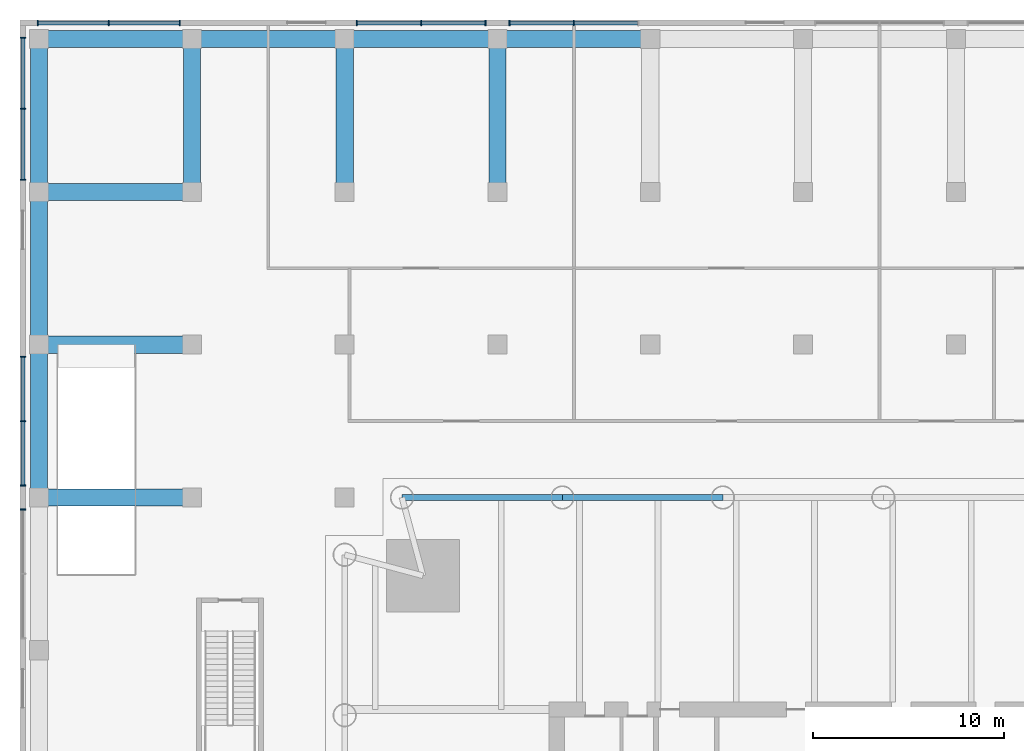
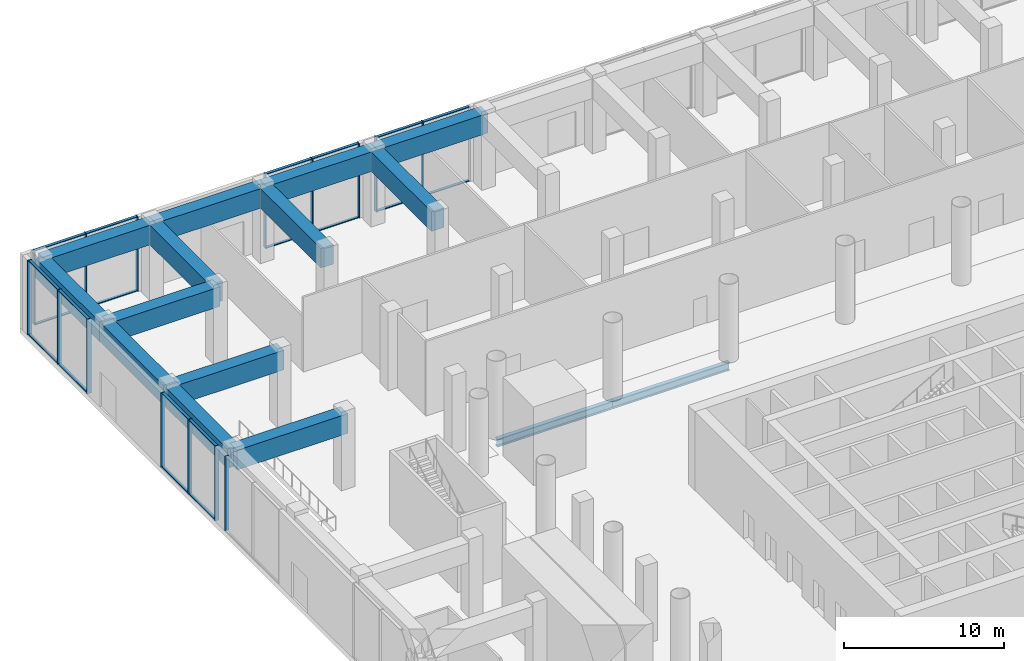
# One storey, part 14 of 39: 35 members, 15 beams, 6 elements without a shape of their own.
"""IFC4 building model written with IfcOpenShell, lengths in metres."""

from ifc_helpers import new_model, si_unit, direction, frame, origin, origin_2d, place, context, subcontext, project, spatial, rectangle, i_section, extrude, material, material_profile, profile_set, type_object, element, aggregate, save


model = new_model("IFC4")

# Units and contexts
model_context = context("Model", 3, precision=1e-05, world=origin(), true_north=direction((0.0, 1.0)))
body_context = subcontext(model_context, "Body", "Model", "MODEL_VIEW")
ifc_project = project(units=[si_unit("LENGTHUNIT", "METRE"), si_unit("AREAUNIT", "SQUARE_METRE"), si_unit("VOLUMEUNIT", "CUBIC_METRE"), si_unit("PLANEANGLEUNIT", "RADIAN"), si_unit("MASSUNIT", "GRAM", prefix="KILO")], contexts=[model_context])

# Site, building, storey
site_placement = place(None, origin())
site = spatial("IfcSite", under=ifc_project, at=site_placement, CompositionType="ELEMENT")
building_placement = place(site_placement, origin())
building = spatial("IfcBuilding", under=site, at=building_placement, Name="Ostroluk Exchange", CompositionType="ELEMENT")
storey_placement = place(building_placement, origin())
storey = spatial("IfcBuildingStorey", under=building, at=storey_placement, Name="L00", CompositionType="ELEMENT", Elevation=0.0)

# Beams
ifc_material_1 = material(Name="Steel S355", Category="steel")
ifc_material_profile_1 = material_profile(ifc_material_1, i_section(OverallWidth=0.300048828125, OverallDepth=0.60009765625, WebThickness=0.015380859375, FlangeThickness=0.030029296875, FilletRadius=0.027099609375, at=origin_2d()), Name="HEB 600")
ifc_profile_set_1 = profile_set([ifc_material_profile_1], Name="Steel S355")
beam_type_1 = type_object("IfcBeamType", Name="Moment-connected edge beam HEB 600", PredefinedType="SPANDREL", material=ifc_profile_set_1)
beam_1_placement = place(storey_placement, frame((40.800048828125, 70.0, -0.60009765625), z_axis=(-1.0, 0.0, 0.0), x_axis=(0.0, -1.0, 0.0)))
element("IfcBeam", 1, at=beam_1_placement, inside=storey, type_object=beam_type_1, Name="T1 north edge beam 4", PredefinedType="SPANDREL", context=body_context, shape_type="SweptSolid", body=[
    extrude(i_section(OverallWidth=0.300048828125, OverallDepth=0.60009765625, WebThickness=0.015380859375, FlangeThickness=0.030029296875, FilletRadius=0.027099609375, at=origin_2d()), origin(), (0.0, 0.0, 1.0), 8.400146484375),
])
beam_2_placement = place(storey_placement, frame((32.39990234375, 70.0, -0.60009765625), z_axis=(-1.0, 0.0, 0.0), x_axis=(0.0, -1.0, 0.0)))
element("IfcBeam", 2, at=beam_2_placement, inside=storey, type_object=beam_type_1, Name="T1 north edge beam 5", PredefinedType="SPANDREL", context=body_context, shape_type="SweptSolid", body=[
    extrude(i_section(OverallWidth=0.300048828125, OverallDepth=0.60009765625, WebThickness=0.015380859375, FlangeThickness=0.030029296875, FilletRadius=0.027099609375, at=origin_2d()), origin(), (0.0, 0.0, 1.0), 8.39990234375),
])
ifc_material_2 = material(Name="Concrete C50/60", Category="concrete")
ifc_material_profile_2 = material_profile(ifc_material_2, rectangle(XDim=0.89990234375, YDim=1.5, at=origin_2d()), Name="RC 900x1500")
ifc_profile_set_2 = profile_set([ifc_material_profile_2], Name="Concrete C50/60")
beam_type_2 = type_object("IfcBeamType", Name="Podium edge beam RC 900x1500", PredefinedType="BEAM", material=ifc_profile_set_2)
for number, where, z_axis, x_axis, name in (
    (3, (13.0, 94.0, 4.949951171875), (0.0, -1.0, 0.0), (1.0, 0.0, 0.0), "Terrace beam L01 west N 13"),
    (4, (21.0, 94.0, 4.949951171875), (0.0, -1.0, 0.0), (1.0, 0.0, 0.0), "Terrace beam L01 west N 21"),
    (5, (29.0, 94.0, 4.949951171875), (0.0, -1.0, 0.0), (1.0, 0.0, 0.0), "Terrace beam L01 west N 29"),
    (6, (5.0, 70.0, 4.949951171875), (1.0, 0.0, 0.0), (0.0, 1.0, 0.0), "Terrace beam L01 west W 70"),
    (7, (5.0, 78.0, 4.949951171875), (1.0, 0.0, 0.0), (0.0, 1.0, 0.0), "Terrace beam L01 west W 78"),
    (8, (5.0, 86.0, 4.949951171875), (1.0, 0.0, 0.0), (0.0, 1.0, 0.0), "Terrace beam L01 west W 86"),
    (9, (5.0, 70.0, 4.949951171875), (0.0, 1.0, 0.0), (-1.0, 0.0, 0.0), "Terrace bay beam L01 X5-70"),
    (10, (5.0, 78.0, 4.949951171875), (0.0, 1.0, 0.0), (-1.0, 0.0, 0.0), "Terrace bay beam L01 X5-78"),
    (11, (5.0, 86.0, 4.949951171875), (0.0, 1.0, 0.0), (-1.0, 0.0, 0.0), "Terrace bay beam L01 X5-86"),
    (12, (5.0, 94.0, 4.949951171875), (1.0, 0.0, 0.0), (0.0, 1.0, 0.0), "Terrace bay beam L01 Y94-5"),
    (13, (13.0, 94.0, 4.949951171875), (1.0, 0.0, 0.0), (0.0, 1.0, 0.0), "Terrace bay beam L01 Y94-13"),
    (14, (21.0, 94.0, 4.949951171875), (1.0, 0.0, 0.0), (0.0, 1.0, 0.0), "Terrace bay beam L01 Y94-21"),
    (15, (29.0, 94.0, 4.949951171875), (1.0, 0.0, 0.0), (0.0, 1.0, 0.0), "Terrace bay beam L01 Y94-29"),
):
    element("IfcBeam", number, at=place(storey_placement, frame(where, z_axis=z_axis, x_axis=x_axis)), inside=storey, type_object=beam_type_2, Name=name, PredefinedType="BEAM", context=body_context, shape_type="SweptSolid", body=[
        extrude(rectangle(XDim=0.89990234375, YDim=1.5, at=origin_2d()), origin(), (0.0, 0.0, 1.0), 8.0),
    ])

# Curtain wall, members
ifc_material_3 = material(Name="Laminated clear glass", Category="glass")
curtain_wall_type = type_object("IfcCurtainWallType", Name="Podium shopfront", PredefinedType="USERDEFINED", material=ifc_material_3)
curtain_wall_1_placement = place(storey_placement, origin())
curtain_wall_1 = element("IfcCurtainWall", 16, at=curtain_wall_1_placement, inside=storey, type_object=curtain_wall_type, Name="Podium west N shopfront 4", ObjectType="STICK SHOPFRONT", PredefinedType="USERDEFINED")
ifc_material_4 = material(Name="Aluminium mullion", Category="aluminium")
ifc_material_profile_3 = material_profile(ifc_material_4, rectangle(XDim=0.300048828125, YDim=0.06005859375, at=origin_2d()), Name="Shopfront mullion 60 x 300")
ifc_profile_set_3 = profile_set([ifc_material_profile_3], Name="Aluminium mullion")
member_type_1 = type_object("IfcMemberType", Name="Shopfront mullion 60 x 300", PredefinedType="MULLION", material=ifc_profile_set_3)
member_1_placement = place(storey_placement, frame((33.0, 94.85009765625, 0.0), z_axis=(0.0, 0.0, 1.0), x_axis=(0.0, -1.0, 0.0)))
member_1 = element("IfcMember", 17, at=member_1_placement, type_object=member_type_1, Name="CW-SF1 mullion 2", PredefinedType="MULLION", context=body_context, shape_type="SweptSolid", body=[
    extrude(rectangle(XDim=0.300048828125, YDim=0.06005859375, at=origin_2d()), origin(), (0.0, 0.0, 1.0), 5.699951171875),
])
member_2_placement = place(storey_placement, frame((29.6298828125, 94.85009765625, 0.0), z_axis=(0.0, 0.0, 1.0), x_axis=(0.0, -1.0, 0.0)))
member_2 = element("IfcMember", 18, at=member_2_placement, type_object=member_type_1, Name="CW-SF1 mullion 3", PredefinedType="MULLION", context=body_context, shape_type="SweptSolid", body=[
    extrude(rectangle(XDim=0.300048828125, YDim=0.06005859375, at=origin_2d()), origin(), (0.0, 0.0, 1.0), 5.699951171875),
])

curtain_wall_2_placement = place(storey_placement, origin())
curtain_wall_2 = element("IfcCurtainWall", 19, at=curtain_wall_2_placement, inside=storey, type_object=curtain_wall_type, Name="Podium west N shopfront 5", ObjectType="STICK SHOPFRONT", PredefinedType="USERDEFINED")
member_3_placement = place(storey_placement, frame((28.3701171875, 94.85009765625, 0.0), z_axis=(0.0, 0.0, 1.0), x_axis=(0.0, -1.0, 0.0)))
member_3 = element("IfcMember", 20, at=member_3_placement, type_object=member_type_1, Name="CW-SF1 mullion 1", PredefinedType="MULLION", context=body_context, shape_type="SweptSolid", body=[
    extrude(rectangle(XDim=0.300048828125, YDim=0.06005859375, at=origin_2d()), origin(), (0.0, 0.0, 1.0), 5.699951171875),
])
member_4_placement = place(storey_placement, frame((25.0, 94.85009765625, 0.0), z_axis=(0.0, 0.0, 1.0), x_axis=(0.0, -1.0, 0.0)))
member_4 = element("IfcMember", 21, at=member_4_placement, type_object=member_type_1, Name="CW-SF1 mullion 2", PredefinedType="MULLION", context=body_context, shape_type="SweptSolid", body=[
    extrude(rectangle(XDim=0.300048828125, YDim=0.06005859375, at=origin_2d()), origin(), (0.0, 0.0, 1.0), 5.699951171875),
])
member_5_placement = place(storey_placement, frame((21.6298828125, 94.85009765625, 0.0), z_axis=(0.0, 0.0, 1.0), x_axis=(0.0, -1.0, 0.0)))
member_5 = element("IfcMember", 22, at=member_5_placement, type_object=member_type_1, Name="CW-SF1 mullion 3", PredefinedType="MULLION", context=body_context, shape_type="SweptSolid", body=[
    extrude(rectangle(XDim=0.300048828125, YDim=0.06005859375, at=origin_2d()), origin(), (0.0, 0.0, 1.0), 5.699951171875),
])

curtain_wall_3_placement = place(storey_placement, origin())
curtain_wall_3 = element("IfcCurtainWall", 23, at=curtain_wall_3_placement, inside=storey, type_object=curtain_wall_type, Name="Podium west N shopfront 6", ObjectType="STICK SHOPFRONT", PredefinedType="USERDEFINED")
member_6_placement = place(storey_placement, frame((12.3701171875, 94.85009765625, 0.0), z_axis=(0.0, 0.0, 1.0), x_axis=(0.0, -1.0, 0.0)))
member_6 = element("IfcMember", 24, at=member_6_placement, type_object=member_type_1, Name="CW-SF1 mullion 1", PredefinedType="MULLION", context=body_context, shape_type="SweptSolid", body=[
    extrude(rectangle(XDim=0.300048828125, YDim=0.06005859375, at=origin_2d()), origin(), (0.0, 0.0, 1.0), 5.699951171875),
])
member_7_placement = place(storey_placement, frame((8.64990234375, 94.85009765625, 0.0), z_axis=(0.0, 0.0, 1.0), x_axis=(0.0, -1.0, 0.0)))
member_7 = element("IfcMember", 25, at=member_7_placement, type_object=member_type_1, Name="CW-SF1 mullion 2", PredefinedType="MULLION", context=body_context, shape_type="SweptSolid", body=[
    extrude(rectangle(XDim=0.300048828125, YDim=0.06005859375, at=origin_2d()), origin(), (0.0, 0.0, 1.0), 5.699951171875),
])
member_8_placement = place(storey_placement, frame((4.929931640625, 94.85009765625, 0.0), z_axis=(0.0, 0.0, 1.0), x_axis=(0.0, -1.0, 0.0)))
member_8 = element("IfcMember", 26, at=member_8_placement, type_object=member_type_1, Name="CW-SF1 mullion 3", PredefinedType="MULLION", context=body_context, shape_type="SweptSolid", body=[
    extrude(rectangle(XDim=0.300048828125, YDim=0.06005859375, at=origin_2d()), origin(), (0.0, 0.0, 1.0), 5.699951171875),
])

curtain_wall_4_placement = place(storey_placement, origin())
curtain_wall_4 = element("IfcCurtainWall", 27, at=curtain_wall_4_placement, inside=storey, type_object=curtain_wall_type, Name="Podium west W shopfront 1", ObjectType="STICK SHOPFRONT", PredefinedType="USERDEFINED")
member_9_placement = place(storey_placement, frame((4.14990234375, 94.070068359375, 0.0), z_axis=(0.0, 0.0, 1.0), x_axis=(1.0, 0.0, 0.0)))
member_9 = element("IfcMember", 28, at=member_9_placement, type_object=member_type_1, Name="CW-SF1 mullion 1", PredefinedType="MULLION", context=body_context, shape_type="SweptSolid", body=[
    extrude(rectangle(XDim=0.300048828125, YDim=0.06005859375, at=origin_2d()), origin(), (0.0, 0.0, 1.0), 5.699951171875),
])
member_10_placement = place(storey_placement, frame((4.14990234375, 90.35009765625, 0.0), z_axis=(0.0, 0.0, 1.0), x_axis=(1.0, 0.0, 0.0)))
member_10 = element("IfcMember", 29, at=member_10_placement, type_object=member_type_1, Name="CW-SF1 mullion 2", PredefinedType="MULLION", context=body_context, shape_type="SweptSolid", body=[
    extrude(rectangle(XDim=0.300048828125, YDim=0.06005859375, at=origin_2d()), origin(), (0.0, 0.0, 1.0), 5.699951171875),
])
member_11_placement = place(storey_placement, frame((4.14990234375, 86.6298828125, 0.0), z_axis=(0.0, 0.0, 1.0), x_axis=(1.0, 0.0, 0.0)))
member_11 = element("IfcMember", 30, at=member_11_placement, type_object=member_type_1, Name="CW-SF1 mullion 3", PredefinedType="MULLION", context=body_context, shape_type="SweptSolid", body=[
    extrude(rectangle(XDim=0.300048828125, YDim=0.06005859375, at=origin_2d()), origin(), (0.0, 0.0, 1.0), 5.699951171875),
])

curtain_wall_5_placement = place(storey_placement, origin())
curtain_wall_5 = element("IfcCurtainWall", 31, at=curtain_wall_5_placement, inside=storey, type_object=curtain_wall_type, Name="Podium west W shopfront 2", ObjectType="STICK SHOPFRONT", PredefinedType="USERDEFINED")
member_12_placement = place(storey_placement, frame((4.14990234375, 77.3701171875, 0.0), z_axis=(0.0, 0.0, 1.0), x_axis=(1.0, 0.0, 0.0)))
member_12 = element("IfcMember", 32, at=member_12_placement, type_object=member_type_1, Name="CW-SF1 mullion 1", PredefinedType="MULLION", context=body_context, shape_type="SweptSolid", body=[
    extrude(rectangle(XDim=0.300048828125, YDim=0.06005859375, at=origin_2d()), origin(), (0.0, 0.0, 1.0), 5.699951171875),
])
member_13_placement = place(storey_placement, frame((4.14990234375, 74.0, 0.0), z_axis=(0.0, 0.0, 1.0), x_axis=(1.0, 0.0, 0.0)))
member_13 = element("IfcMember", 33, at=member_13_placement, type_object=member_type_1, Name="CW-SF1 mullion 2", PredefinedType="MULLION", context=body_context, shape_type="SweptSolid", body=[
    extrude(rectangle(XDim=0.300048828125, YDim=0.06005859375, at=origin_2d()), origin(), (0.0, 0.0, 1.0), 5.699951171875),
])
member_14_placement = place(storey_placement, frame((4.14990234375, 70.6298828125, 0.0), z_axis=(0.0, 0.0, 1.0), x_axis=(1.0, 0.0, 0.0)))
member_14 = element("IfcMember", 34, at=member_14_placement, type_object=member_type_1, Name="CW-SF1 mullion 3", PredefinedType="MULLION", context=body_context, shape_type="SweptSolid", body=[
    extrude(rectangle(XDim=0.300048828125, YDim=0.06005859375, at=origin_2d()), origin(), (0.0, 0.0, 1.0), 5.699951171875),
])

# Curtain wall, member
curtain_wall_6_placement = place(storey_placement, origin())
curtain_wall_6 = element("IfcCurtainWall", 35, at=curtain_wall_6_placement, inside=storey, type_object=curtain_wall_type, Name="Podium west W shopfront 3", ObjectType="STICK SHOPFRONT", PredefinedType="USERDEFINED")
member_15_placement = place(storey_placement, frame((4.14990234375, 69.3701171875, 0.0), z_axis=(0.0, 0.0, 1.0), x_axis=(1.0, 0.0, 0.0)))
member_15 = element("IfcMember", 36, at=member_15_placement, type_object=member_type_1, Name="CW-SF1 mullion 1", PredefinedType="MULLION", context=body_context, shape_type="SweptSolid", body=[
    extrude(rectangle(XDim=0.300048828125, YDim=0.06005859375, at=origin_2d()), origin(), (0.0, 0.0, 1.0), 5.699951171875),
])
aggregate(curtain_wall_6, [member_15])

# Member
ifc_material_5 = material(Name="Aluminium mullion", Category="aluminium")
ifc_material_profile_4 = material_profile(ifc_material_5, rectangle(XDim=0.199951171875, YDim=0.06005859375, at=origin_2d()), Name="Shopfront transom 60 x 200")
ifc_profile_set_4 = profile_set([ifc_material_profile_4], Name="Aluminium mullion")
member_type_2 = type_object("IfcMemberType", Name="Shopfront transom 60 x 200", PredefinedType="USERDEFINED", material=ifc_profile_set_4)
member_16_placement = place(storey_placement, frame((36.340087890625, 94.85009765625, 0.030029296875), z_axis=(-1.0, 0.0, 0.0), x_axis=(0.0, -1.0, 0.0)))
member_16 = element("IfcMember", 37, at=member_16_placement, type_object=member_type_2, Name="CW-SF1 transom 1.1", ObjectType="TRANSOM", PredefinedType="USERDEFINED", context=body_context, shape_type="SweptSolid", body=[
    extrude(rectangle(XDim=0.199951171875, YDim=0.06005859375, at=origin_2d()), origin(), (0.0, 0.0, 1.0), 3.31005859375),
])

member_17_placement = place(storey_placement, frame((36.340087890625, 94.85009765625, 5.669921875), z_axis=(-1.0, 0.0, 0.0), x_axis=(0.0, -1.0, 0.0)))
member_17 = element("IfcMember", 38, at=member_17_placement, type_object=member_type_2, Name="CW-SF1 transom 1.2", ObjectType="TRANSOM", PredefinedType="USERDEFINED", context=body_context, shape_type="SweptSolid", body=[
    extrude(rectangle(XDim=0.199951171875, YDim=0.06005859375, at=origin_2d()), origin(), (0.0, 0.0, 1.0), 3.31005859375),
])

member_18_placement = place(storey_placement, frame((32.969970703125, 94.85009765625, 0.030029296875), z_axis=(-1.0, 0.0, 0.0), x_axis=(0.0, -1.0, 0.0)))
member_18 = element("IfcMember", 39, at=member_18_placement, type_object=member_type_2, Name="CW-SF1 transom 2.1", ObjectType="TRANSOM", PredefinedType="USERDEFINED", context=body_context, shape_type="SweptSolid", body=[
    extrude(rectangle(XDim=0.199951171875, YDim=0.06005859375, at=origin_2d()), origin(), (0.0, 0.0, 1.0), 3.31005859375),
])

member_19_placement = place(storey_placement, frame((32.969970703125, 94.85009765625, 5.669921875), z_axis=(-1.0, 0.0, 0.0), x_axis=(0.0, -1.0, 0.0)))
member_19 = element("IfcMember", 40, at=member_19_placement, type_object=member_type_2, Name="CW-SF1 transom 2.2", ObjectType="TRANSOM", PredefinedType="USERDEFINED", context=body_context, shape_type="SweptSolid", body=[
    extrude(rectangle(XDim=0.199951171875, YDim=0.06005859375, at=origin_2d()), origin(), (0.0, 0.0, 1.0), 3.31005859375),
])

aggregate(curtain_wall_1, [member_1, member_2, member_16, member_17, member_18, member_19])

member_20_placement = place(storey_placement, frame((28.340087890625, 94.85009765625, 0.030029296875), z_axis=(-1.0, 0.0, 0.0), x_axis=(0.0, -1.0, 0.0)))
member_20 = element("IfcMember", 41, at=member_20_placement, type_object=member_type_2, Name="CW-SF1 transom 1.1", ObjectType="TRANSOM", PredefinedType="USERDEFINED", context=body_context, shape_type="SweptSolid", body=[
    extrude(rectangle(XDim=0.199951171875, YDim=0.06005859375, at=origin_2d()), origin(), (0.0, 0.0, 1.0), 3.31005859375),
])

member_21_placement = place(storey_placement, frame((28.340087890625, 94.85009765625, 5.669921875), z_axis=(-1.0, 0.0, 0.0), x_axis=(0.0, -1.0, 0.0)))
member_21 = element("IfcMember", 42, at=member_21_placement, type_object=member_type_2, Name="CW-SF1 transom 1.2", ObjectType="TRANSOM", PredefinedType="USERDEFINED", context=body_context, shape_type="SweptSolid", body=[
    extrude(rectangle(XDim=0.199951171875, YDim=0.06005859375, at=origin_2d()), origin(), (0.0, 0.0, 1.0), 3.31005859375),
])

member_22_placement = place(storey_placement, frame((24.969970703125, 94.85009765625, 0.030029296875), z_axis=(-1.0, 0.0, 0.0), x_axis=(0.0, -1.0, 0.0)))
member_22 = element("IfcMember", 43, at=member_22_placement, type_object=member_type_2, Name="CW-SF1 transom 2.1", ObjectType="TRANSOM", PredefinedType="USERDEFINED", context=body_context, shape_type="SweptSolid", body=[
    extrude(rectangle(XDim=0.199951171875, YDim=0.06005859375, at=origin_2d()), origin(), (0.0, 0.0, 1.0), 3.31005859375),
])

member_23_placement = place(storey_placement, frame((24.969970703125, 94.85009765625, 5.669921875), z_axis=(-1.0, 0.0, 0.0), x_axis=(0.0, -1.0, 0.0)))
member_23 = element("IfcMember", 44, at=member_23_placement, type_object=member_type_2, Name="CW-SF1 transom 2.2", ObjectType="TRANSOM", PredefinedType="USERDEFINED", context=body_context, shape_type="SweptSolid", body=[
    extrude(rectangle(XDim=0.199951171875, YDim=0.06005859375, at=origin_2d()), origin(), (0.0, 0.0, 1.0), 3.31005859375),
])

aggregate(curtain_wall_2, [member_3, member_4, member_5, member_20, member_21, member_22, member_23])

member_24_placement = place(storey_placement, frame((12.340087890625, 94.85009765625, 0.030029296875), z_axis=(-1.0, 0.0, 0.0), x_axis=(0.0, -1.0, 0.0)))
member_24 = element("IfcMember", 45, at=member_24_placement, type_object=member_type_2, Name="CW-SF1 transom 1.1", ObjectType="TRANSOM", PredefinedType="USERDEFINED", context=body_context, shape_type="SweptSolid", body=[
    extrude(rectangle(XDim=0.199951171875, YDim=0.06005859375, at=origin_2d()), origin(), (0.0, 0.0, 1.0), 3.66015625),
])

member_25_placement = place(storey_placement, frame((12.340087890625, 94.85009765625, 5.669921875), z_axis=(-1.0, 0.0, 0.0), x_axis=(0.0, -1.0, 0.0)))
member_25 = element("IfcMember", 46, at=member_25_placement, type_object=member_type_2, Name="CW-SF1 transom 1.2", ObjectType="TRANSOM", PredefinedType="USERDEFINED", context=body_context, shape_type="SweptSolid", body=[
    extrude(rectangle(XDim=0.199951171875, YDim=0.06005859375, at=origin_2d()), origin(), (0.0, 0.0, 1.0), 3.66015625),
])

member_26_placement = place(storey_placement, frame((8.6201171875, 94.85009765625, 0.030029296875), z_axis=(-1.0, 0.0, 0.0), x_axis=(0.0, -1.0, 0.0)))
member_26 = element("IfcMember", 47, at=member_26_placement, type_object=member_type_2, Name="CW-SF1 transom 2.1", ObjectType="TRANSOM", PredefinedType="USERDEFINED", context=body_context, shape_type="SweptSolid", body=[
    extrude(rectangle(XDim=0.199951171875, YDim=0.06005859375, at=origin_2d()), origin(), (0.0, 0.0, 1.0), 3.66015625),
])

member_27_placement = place(storey_placement, frame((8.6201171875, 94.85009765625, 5.669921875), z_axis=(-1.0, 0.0, 0.0), x_axis=(0.0, -1.0, 0.0)))
member_27 = element("IfcMember", 48, at=member_27_placement, type_object=member_type_2, Name="CW-SF1 transom 2.2", ObjectType="TRANSOM", PredefinedType="USERDEFINED", context=body_context, shape_type="SweptSolid", body=[
    extrude(rectangle(XDim=0.199951171875, YDim=0.06005859375, at=origin_2d()), origin(), (0.0, 0.0, 1.0), 3.66015625),
])

aggregate(curtain_wall_3, [member_6, member_7, member_8, member_24, member_25, member_26, member_27])

member_28_placement = place(storey_placement, frame((4.14990234375, 94.0400390625, 0.030029296875), z_axis=(0.0, -1.0, 0.0), x_axis=(1.0, 0.0, 0.0)))
member_28 = element("IfcMember", 49, at=member_28_placement, type_object=member_type_2, Name="CW-SF1 transom 1.1", ObjectType="TRANSOM", PredefinedType="USERDEFINED", context=body_context, shape_type="SweptSolid", body=[
    extrude(rectangle(XDim=0.199951171875, YDim=0.06005859375, at=origin_2d()), origin(), (0.0, 0.0, 1.0), 3.66015625),
])

member_29_placement = place(storey_placement, frame((4.14990234375, 94.0400390625, 5.669921875), z_axis=(0.0, -1.0, 0.0), x_axis=(1.0, 0.0, 0.0)))
member_29 = element("IfcMember", 50, at=member_29_placement, type_object=member_type_2, Name="CW-SF1 transom 1.2", ObjectType="TRANSOM", PredefinedType="USERDEFINED", context=body_context, shape_type="SweptSolid", body=[
    extrude(rectangle(XDim=0.199951171875, YDim=0.06005859375, at=origin_2d()), origin(), (0.0, 0.0, 1.0), 3.66015625),
])

member_30_placement = place(storey_placement, frame((4.14990234375, 90.320068359375, 0.030029296875), z_axis=(0.0, -1.0, 0.0), x_axis=(1.0, 0.0, 0.0)))
member_30 = element("IfcMember", 51, at=member_30_placement, type_object=member_type_2, Name="CW-SF1 transom 2.1", ObjectType="TRANSOM", PredefinedType="USERDEFINED", context=body_context, shape_type="SweptSolid", body=[
    extrude(rectangle(XDim=0.199951171875, YDim=0.06005859375, at=origin_2d()), origin(), (0.0, 0.0, 1.0), 3.66015625),
])

member_31_placement = place(storey_placement, frame((4.14990234375, 90.320068359375, 5.669921875), z_axis=(0.0, -1.0, 0.0), x_axis=(1.0, 0.0, 0.0)))
member_31 = element("IfcMember", 52, at=member_31_placement, type_object=member_type_2, Name="CW-SF1 transom 2.2", ObjectType="TRANSOM", PredefinedType="USERDEFINED", context=body_context, shape_type="SweptSolid", body=[
    extrude(rectangle(XDim=0.199951171875, YDim=0.06005859375, at=origin_2d()), origin(), (0.0, 0.0, 1.0), 3.66015625),
])

aggregate(curtain_wall_4, [member_9, member_10, member_11, member_28, member_29, member_30, member_31])

member_32_placement = place(storey_placement, frame((4.14990234375, 77.340087890625, 0.030029296875), z_axis=(0.0, -1.0, 0.0), x_axis=(1.0, 0.0, 0.0)))
member_32 = element("IfcMember", 53, at=member_32_placement, type_object=member_type_2, Name="CW-SF1 transom 1.1", ObjectType="TRANSOM", PredefinedType="USERDEFINED", context=body_context, shape_type="SweptSolid", body=[
    extrude(rectangle(XDim=0.199951171875, YDim=0.06005859375, at=origin_2d()), origin(), (0.0, 0.0, 1.0), 3.31005859375),
])

member_33_placement = place(storey_placement, frame((4.14990234375, 77.340087890625, 5.669921875), z_axis=(0.0, -1.0, 0.0), x_axis=(1.0, 0.0, 0.0)))
member_33 = element("IfcMember", 54, at=member_33_placement, type_object=member_type_2, Name="CW-SF1 transom 1.2", ObjectType="TRANSOM", PredefinedType="USERDEFINED", context=body_context, shape_type="SweptSolid", body=[
    extrude(rectangle(XDim=0.199951171875, YDim=0.06005859375, at=origin_2d()), origin(), (0.0, 0.0, 1.0), 3.31005859375),
])

member_34_placement = place(storey_placement, frame((4.14990234375, 73.969970703125, 0.030029296875), z_axis=(0.0, -1.0, 0.0), x_axis=(1.0, 0.0, 0.0)))
member_34 = element("IfcMember", 55, at=member_34_placement, type_object=member_type_2, Name="CW-SF1 transom 2.1", ObjectType="TRANSOM", PredefinedType="USERDEFINED", context=body_context, shape_type="SweptSolid", body=[
    extrude(rectangle(XDim=0.199951171875, YDim=0.06005859375, at=origin_2d()), origin(), (0.0, 0.0, 1.0), 3.31005859375),
])

member_35_placement = place(storey_placement, frame((4.14990234375, 73.969970703125, 5.669921875), z_axis=(0.0, -1.0, 0.0), x_axis=(1.0, 0.0, 0.0)))
member_35 = element("IfcMember", 56, at=member_35_placement, type_object=member_type_2, Name="CW-SF1 transom 2.2", ObjectType="TRANSOM", PredefinedType="USERDEFINED", context=body_context, shape_type="SweptSolid", body=[
    extrude(rectangle(XDim=0.199951171875, YDim=0.06005859375, at=origin_2d()), origin(), (0.0, 0.0, 1.0), 3.31005859375),
])

aggregate(curtain_wall_5, [member_12, member_13, member_14, member_32, member_33, member_34, member_35])

save(model, "model.ifc")
